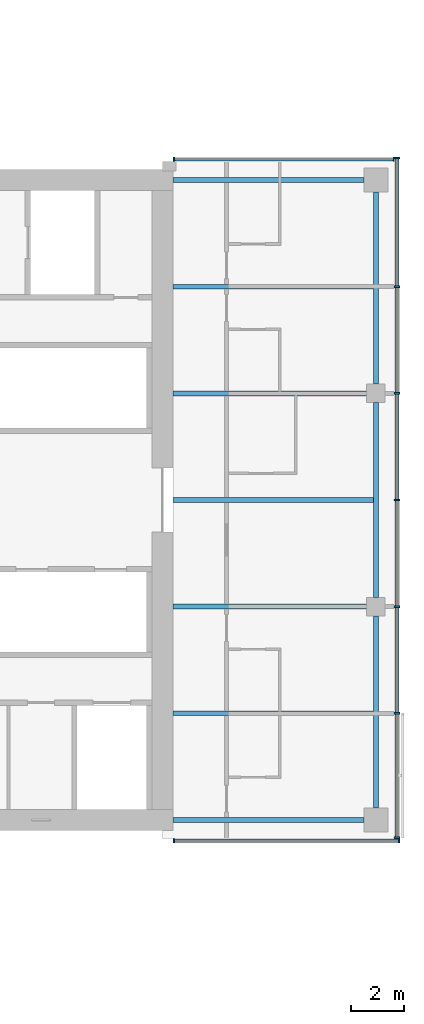
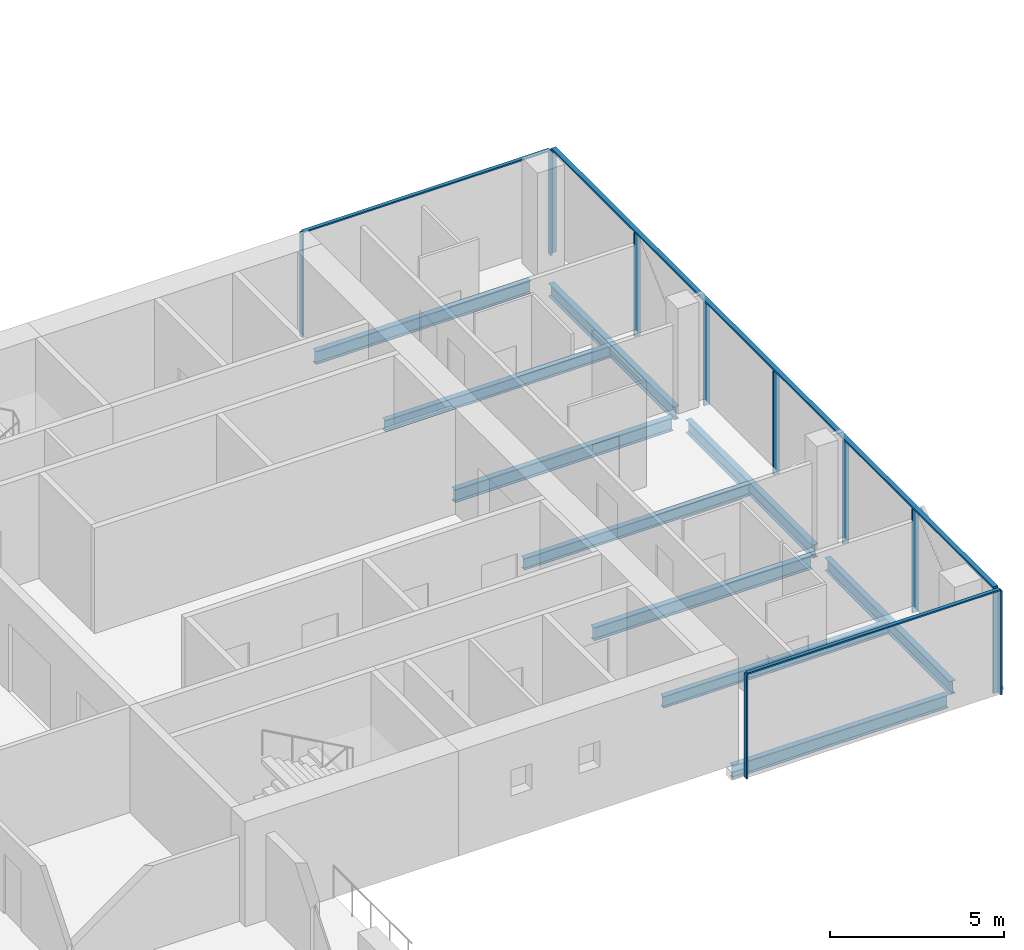
# One storey, part 11 of 27: 14 members, 10 beams, 3 elements without a shape of their own.
"""IFC4 building model written with IfcOpenShell, lengths in metres."""

from ifc_helpers import new_model, si_unit, direction, frame, origin, origin_2d, place, context, subcontext, project, spatial, rectangle, i_section, extrude, material, material_profile, profile_set, type_object, element, aggregate, save


model = new_model("IFC4")

# Units and contexts
model_context = context("Model", 3, precision=1e-05, world=origin(), true_north=direction((0.0, 1.0)))
body_context = subcontext(model_context, "Body", "Model", "MODEL_VIEW")
ifc_project = project(units=[si_unit("LENGTHUNIT", "METRE"), si_unit("AREAUNIT", "SQUARE_METRE"), si_unit("VOLUMEUNIT", "CUBIC_METRE"), si_unit("PLANEANGLEUNIT", "RADIAN"), si_unit("MASSUNIT", "GRAM", prefix="KILO")], contexts=[model_context])

# Site, building, storey
site_placement = place(None, origin())
site = spatial("IfcSite", under=ifc_project, at=site_placement, CompositionType="ELEMENT")
building_placement = place(site_placement, origin())
building = spatial("IfcBuilding", under=site, at=building_placement, Name="Crosswind Convention Tower", CompositionType="ELEMENT")
storey_placement = place(building_placement, frame((0.0, 0.0, 72.0)))
storey = spatial("IfcBuildingStorey", under=building, at=storey_placement, Name="L12", CompositionType="ELEMENT", Elevation=72.0)

# Beams
ifc_material_1 = material(Name="Steel S355", Category="steel")
ifc_material_profile_1 = material_profile(ifc_material_1, i_section(OverallWidth=0.1904296875, OverallDepth=0.457275390625, WebThickness=0.009033203125, FlangeThickness=0.014404296875, FilletRadius=0.01025390625, at=origin_2d()), Name="UB 457x191x75")
ifc_profile_set_1 = profile_set([ifc_material_profile_1], Name="Steel S355")
beam_type_1 = type_object("IfcBeamType", Name="Edge beam UB 457x191x75", PredefinedType="SPANDREL", material=ifc_profile_set_1)
for number, where, z_axis, x_axis, name in (
    (1, (153.39990234375, 88.0, -0.508544921875), (1.0, 0.0, 0.0), (0.0, 1.0, 0.0), "B17 L12 edge beam 24"),
    (2, (153.39990234375, 112.0, -0.508544921875), (1.0, 0.0, 0.0), (0.0, 1.0, 0.0), "B17 L12 edge beam 25"),
):
    element("IfcBeam", number, at=place(storey_placement, frame(where, z_axis=z_axis, x_axis=x_axis)), inside=storey, type_object=beam_type_1, Name=name, PredefinedType="SPANDREL", context=body_context, shape_type="SweptSolid", body=[
        extrude(i_section(OverallWidth=0.1904296875, OverallDepth=0.457275390625, WebThickness=0.009033203125, FlangeThickness=0.014404296875, FilletRadius=0.01025390625, at=origin_2d()), origin(), (0.0, 0.0, 1.0), 7.150146484375),
    ])
beam_1_placement = place(storey_placement, frame((161.0, 88.449951171875, -0.508544921875), z_axis=(0.0, 1.0, 0.0), x_axis=(-1.0, 0.0, 0.0)))
element("IfcBeam", 3, at=beam_1_placement, inside=storey, type_object=beam_type_1, Name="B17 L12 edge beam 26", PredefinedType="SPANDREL", context=body_context, shape_type="SweptSolid", body=[
    extrude(i_section(OverallWidth=0.1904296875, OverallDepth=0.457275390625, WebThickness=0.009033203125, FlangeThickness=0.014404296875, FilletRadius=0.01025390625, at=origin_2d()), origin(), (0.0, 0.0, 1.0), 7.199951171875),
])
beam_2_placement = place(storey_placement, frame((161.0, 96.35009765625, -0.508544921875), z_axis=(0.0, 1.0, 0.0), x_axis=(-1.0, 0.0, 0.0)))
element("IfcBeam", 4, at=beam_2_placement, inside=storey, type_object=beam_type_1, Name="B17 L12 edge beam 27", PredefinedType="SPANDREL", context=body_context, shape_type="SweptSolid", body=[
    extrude(i_section(OverallWidth=0.1904296875, OverallDepth=0.457275390625, WebThickness=0.009033203125, FlangeThickness=0.014404296875, FilletRadius=0.01025390625, at=origin_2d()), origin(), (0.0, 0.0, 1.0), 7.2998046875),
])
beam_3_placement = place(storey_placement, frame((161.0, 104.35009765625, -0.508544921875), z_axis=(0.0, 1.0, 0.0), x_axis=(-1.0, 0.0, 0.0)))
element("IfcBeam", 5, at=beam_3_placement, inside=storey, type_object=beam_type_1, Name="B17 L12 edge beam 28", PredefinedType="SPANDREL", context=body_context, shape_type="SweptSolid", body=[
    extrude(i_section(OverallWidth=0.1904296875, OverallDepth=0.457275390625, WebThickness=0.009033203125, FlangeThickness=0.014404296875, FilletRadius=0.01025390625, at=origin_2d()), origin(), (0.0, 0.0, 1.0), 7.199951171875),
])
ifc_material_profile_2 = material_profile(ifc_material_1, i_section(OverallWidth=0.19189453125, OverallDepth=0.463623046875, WebThickness=0.010498046875, FlangeThickness=0.017578125, FilletRadius=0.01025390625, at=origin_2d()), Name="UB 457x191x90")
ifc_profile_set_2 = profile_set([ifc_material_profile_2], Name="Steel S355")
beam_type_2 = type_object("IfcBeamType", Name="Girder at core wall UB 457x191x90", PredefinedType="BEAM", material=ifc_profile_set_2)
for number, where, z_axis, x_axis, name in (
    (6, (153.39990234375, 96.0, -0.51171875), (1.0, 0.0, 0.0), (0.0, 1.0, 0.0), "B24 L12 girder at core wall 11"),
    (7, (153.39990234375, 104.0, -0.51171875), (1.0, 0.0, 0.0), (0.0, 1.0, 0.0), "B24 L12 girder at core wall 12"),
):
    element("IfcBeam", number, at=place(storey_placement, frame(where, z_axis=z_axis, x_axis=x_axis)), inside=storey, type_object=beam_type_2, Name=name, PredefinedType="BEAM", context=body_context, shape_type="SweptSolid", body=[
        extrude(i_section(OverallWidth=0.19189453125, OverallDepth=0.463623046875, WebThickness=0.010498046875, FlangeThickness=0.017578125, FilletRadius=0.01025390625, at=origin_2d()), origin(), (0.0, 0.0, 1.0), 7.25),
    ])

# Curtain wall, members
ifc_material_2 = material(Name="Aluminium unitised curtain wall", Category="aluminium")
curtain_wall_type_1 = type_object("IfcCurtainWallType", Name="CORE END SLOT WALL 160", PredefinedType="USERDEFINED", material=ifc_material_2)
curtain_wall_1_placement = place(storey_placement, origin())
curtain_wall_1 = element("IfcCurtainWall", 8, at=curtain_wall_1_placement, inside=storey, type_object=curtain_wall_type_1, Name="CW6 L12 E-N.1-1 slot", ObjectType="UNITISED", PredefinedType="USERDEFINED")
ifc_material_3 = material(Name="Aluminium mullion", Category="aluminium")
ifc_material_profile_3 = material_profile(ifc_material_3, rectangle(XDim=0.159912109375, YDim=0.050048828125, at=origin_2d()), Name="AL 160X50")
ifc_profile_set_3 = profile_set([ifc_material_profile_3], Name="Aluminium mullion")
member_type_1 = type_object("IfcMemberType", Name="MULLION 50X160", PredefinedType="MULLION", material=ifc_profile_set_3)
member_1_placement = place(storey_placement, frame((161.675048828125, 112.780029296875, -0.280029296875), z_axis=(0.0, 0.0, 1.0), x_axis=(0.0, 1.0, 0.0)))
member_1 = element("IfcMember", 9, at=member_1_placement, type_object=member_type_1, Name="CW6 mullion 1", PredefinedType="MULLION", context=body_context, shape_type="SweptSolid", body=[
    extrude(rectangle(XDim=0.159912109375, YDim=0.050048828125, at=origin_2d()), origin(), (0.0, 0.0, 1.0), 3.650146484375),
])
member_2_placement = place(storey_placement, frame((153.425048828125, 112.780029296875, -0.280029296875), z_axis=(0.0, 0.0, 1.0), x_axis=(0.0, 1.0, 0.0)))
member_2 = element("IfcMember", 10, at=member_2_placement, type_object=member_type_1, Name="CW6 mullion 2", PredefinedType="MULLION", context=body_context, shape_type="SweptSolid", body=[
    extrude(rectangle(XDim=0.159912109375, YDim=0.050048828125, at=origin_2d()), origin(), (0.0, 0.0, 1.0), 3.650146484375),
])

curtain_wall_2_placement = place(storey_placement, origin())
curtain_wall_2 = element("IfcCurtainWall", 11, at=curtain_wall_2_placement, inside=storey, type_object=curtain_wall_type_1, Name="CW6 L12 E-S.2-1 slot", ObjectType="UNITISED", PredefinedType="USERDEFINED")
member_3_placement = place(storey_placement, frame((153.425048828125, 87.219970703125, -0.280029296875), z_axis=(0.0, 0.0, 1.0), x_axis=(0.0, -1.0, 0.0)))
member_3 = element("IfcMember", 12, at=member_3_placement, type_object=member_type_1, Name="CW6 mullion 1", PredefinedType="MULLION", context=body_context, shape_type="SweptSolid", body=[
    extrude(rectangle(XDim=0.159912109375, YDim=0.050048828125, at=origin_2d()), origin(), (0.0, 0.0, 1.0), 3.650146484375),
])
member_4_placement = place(storey_placement, frame((161.875, 87.219970703125, -0.280029296875), z_axis=(0.0, 0.0, 1.0), x_axis=(0.0, -1.0, 0.0)))
member_4 = element("IfcMember", 13, at=member_4_placement, type_object=member_type_1, Name="CW6 mullion 2", PredefinedType="MULLION", context=body_context, shape_type="SweptSolid", body=[
    extrude(rectangle(XDim=0.159912109375, YDim=0.050048828125, at=origin_2d()), origin(), (0.0, 0.0, 1.0), 3.650146484375),
])

curtain_wall_type_2 = type_object("IfcCurtainWallType", Name="HOTEL UNITISED WALL 200", PredefinedType="USERDEFINED", material=ifc_material_2)
curtain_wall_3_placement = place(storey_placement, origin())
curtain_wall_3 = element("IfcCurtainWall", 14, at=curtain_wall_3_placement, inside=storey, type_object=curtain_wall_type_2, Name="CW2 L12 E-TIP 1", ObjectType="UNITISED", PredefinedType="USERDEFINED")
ifc_material_profile_4 = material_profile(ifc_material_3, rectangle(XDim=0.199951171875, YDim=0.06494140625, at=origin_2d()), Name="AL 200X65")
ifc_profile_set_4 = profile_set([ifc_material_profile_4], Name="Aluminium mullion")
member_type_2 = type_object("IfcMemberType", Name="MULLION 65X200", PredefinedType="MULLION", material=ifc_profile_set_4)
member_5_placement = place(storey_placement, frame((161.800048828125, 87.33251953125, -0.280029296875), z_axis=(0.0, 0.0, 1.0), x_axis=(1.0, 0.0, 0.0)))
member_5 = element("IfcMember", 15, at=member_5_placement, type_object=member_type_2, Name="CW2 mullion 1", PredefinedType="MULLION", context=body_context, shape_type="SweptSolid", body=[
    extrude(rectangle(XDim=0.199951171875, YDim=0.06494140625, at=origin_2d()), origin(), (0.0, 0.0, 1.0), 3.635009765625),
])
member_6_placement = place(storey_placement, frame((161.800048828125, 92.0, -0.280029296875), z_axis=(0.0, 0.0, 1.0), x_axis=(1.0, 0.0, 0.0)))
member_6 = element("IfcMember", 16, at=member_6_placement, type_object=member_type_2, Name="CW2 mullion 2", PredefinedType="MULLION", context=body_context, shape_type="SweptSolid", body=[
    extrude(rectangle(XDim=0.199951171875, YDim=0.06494140625, at=origin_2d()), origin(), (0.0, 0.0, 1.0), 3.635009765625),
])
member_7_placement = place(storey_placement, frame((161.800048828125, 96.0, -0.280029296875), z_axis=(0.0, 0.0, 1.0), x_axis=(1.0, 0.0, 0.0)))
member_7 = element("IfcMember", 17, at=member_7_placement, type_object=member_type_2, Name="CW2 mullion 3", PredefinedType="MULLION", context=body_context, shape_type="SweptSolid", body=[
    extrude(rectangle(XDim=0.199951171875, YDim=0.06494140625, at=origin_2d()), origin(), (0.0, 0.0, 1.0), 3.635009765625),
])
member_8_placement = place(storey_placement, frame((161.800048828125, 100.0, -0.280029296875), z_axis=(0.0, 0.0, 1.0), x_axis=(1.0, 0.0, 0.0)))
member_8 = element("IfcMember", 18, at=member_8_placement, type_object=member_type_2, Name="CW2 mullion 4", PredefinedType="MULLION", context=body_context, shape_type="SweptSolid", body=[
    extrude(rectangle(XDim=0.199951171875, YDim=0.06494140625, at=origin_2d()), origin(), (0.0, 0.0, 1.0), 3.635009765625),
])
member_9_placement = place(storey_placement, frame((161.800048828125, 104.0, -0.280029296875), z_axis=(0.0, 0.0, 1.0), x_axis=(1.0, 0.0, 0.0)))
member_9 = element("IfcMember", 19, at=member_9_placement, type_object=member_type_2, Name="CW2 mullion 5", PredefinedType="MULLION", context=body_context, shape_type="SweptSolid", body=[
    extrude(rectangle(XDim=0.199951171875, YDim=0.06494140625, at=origin_2d()), origin(), (0.0, 0.0, 1.0), 3.635009765625),
])
member_10_placement = place(storey_placement, frame((161.800048828125, 108.0, -0.280029296875), z_axis=(0.0, 0.0, 1.0), x_axis=(1.0, 0.0, 0.0)))
member_10 = element("IfcMember", 20, at=member_10_placement, type_object=member_type_2, Name="CW2 mullion 6", PredefinedType="MULLION", context=body_context, shape_type="SweptSolid", body=[
    extrude(rectangle(XDim=0.199951171875, YDim=0.06494140625, at=origin_2d()), origin(), (0.0, 0.0, 1.0), 3.635009765625),
])
member_11_placement = place(storey_placement, frame((161.800048828125, 112.827392578125, -0.280029296875), z_axis=(0.0, 0.0, 1.0), x_axis=(1.0, 0.0, 0.0)))
member_11 = element("IfcMember", 21, at=member_11_placement, type_object=member_type_2, Name="CW2 mullion 7", PredefinedType="MULLION", context=body_context, shape_type="SweptSolid", body=[
    extrude(rectangle(XDim=0.199951171875, YDim=0.06494140625, at=origin_2d()), origin(), (0.0, 0.0, 1.0), 3.635009765625),
])

# Beams
ifc_material_profile_5 = material_profile(ifc_material_1, i_section(OverallWidth=0.177734375, OverallDepth=0.406494140625, WebThickness=0.0078125, FlangeThickness=0.0126953125, FilletRadius=0.01025390625, at=origin_2d()), Name="UB 406x178x60")
ifc_profile_set_5 = profile_set([ifc_material_profile_5], Name="Steel S355")
beam_type_3 = type_object("IfcBeamType", Name="Secondary beam UB 406x178x60", PredefinedType="JOIST", material=ifc_profile_set_5)
for number, where, z_axis, x_axis, name in (
    (22, (153.39990234375, 92.0, -0.483154296875), (1.0, 0.0, 0.0), (0.0, 1.0, 0.0), "B10 L12 secondary beam 31"),
    (23, (153.39990234375, 100.0, -0.483154296875), (1.0, 0.0, 0.0), (0.0, 1.0, 0.0), "B10 L12 secondary beam 32"),
    (24, (153.39990234375, 108.0, -0.483154296875), (1.0, 0.0, 0.0), (0.0, 1.0, 0.0), "B10 L12 secondary beam 33"),
):
    element("IfcBeam", number, at=place(storey_placement, frame(where, z_axis=z_axis, x_axis=x_axis)), inside=storey, type_object=beam_type_3, Name=name, PredefinedType="JOIST", context=body_context, shape_type="SweptSolid", body=[
        extrude(i_section(OverallWidth=0.177734375, OverallDepth=0.406494140625, WebThickness=0.0078125, FlangeThickness=0.0126953125, FilletRadius=0.01025390625, at=origin_2d()), origin(), (0.0, 0.0, 1.0), 7.5048828125),
    ])

# Member
ifc_material_4 = material(Name="Aluminium transom", Category="aluminium")
ifc_material_profile_6 = material_profile(ifc_material_4, rectangle(XDim=0.1201171875, YDim=0.050048828125, at=origin_2d()), Name="AL 120X50")
ifc_profile_set_6 = profile_set([ifc_material_profile_6], Name="Aluminium transom")
member_type_3 = type_object("IfcMemberType", Name="TRANSOM 50X120", PredefinedType="USERDEFINED", material=ifc_profile_set_6)
member_12_placement = place(storey_placement, frame((161.64990234375, 112.780029296875, 3.39501953125), z_axis=(-1.0, 0.0, 0.0), x_axis=(0.0, -1.0, 0.0)))
member_12 = element("IfcMember", 25, at=member_12_placement, type_object=member_type_3, Name="CW6 transom", ObjectType="TRANSOM", PredefinedType="USERDEFINED", context=body_context, shape_type="SweptSolid", body=[
    extrude(rectangle(XDim=0.1201171875, YDim=0.050048828125, at=origin_2d()), origin(), (0.0, 0.0, 1.0), 8.199951171875),
])

aggregate(curtain_wall_1, [member_1, member_2, member_12])

member_13_placement = place(storey_placement, frame((153.449951171875, 87.219970703125, 3.39501953125), z_axis=(1.0, 0.0, 0.0), x_axis=(0.0, 1.0, 0.0)))
member_13 = element("IfcMember", 26, at=member_13_placement, type_object=member_type_3, Name="CW6 transom", ObjectType="TRANSOM", PredefinedType="USERDEFINED", context=body_context, shape_type="SweptSolid", body=[
    extrude(rectangle(XDim=0.1201171875, YDim=0.050048828125, at=origin_2d()), origin(), (0.0, 0.0, 1.0), 8.400146484375),
])

aggregate(curtain_wall_2, [member_3, member_4, member_13])

ifc_material_profile_7 = material_profile(ifc_material_4, rectangle(XDim=0.14990234375, YDim=0.06494140625, at=origin_2d()), Name="AL 150X65")
ifc_profile_set_7 = profile_set([ifc_material_profile_7], Name="Aluminium transom")
member_type_4 = type_object("IfcMemberType", Name="TRANSOM 65X150", PredefinedType="USERDEFINED", material=ifc_profile_set_7)
member_14_placement = place(storey_placement, frame((161.800048828125, 87.364990234375, 3.387451171875), z_axis=(0.0, 1.0, 0.0), x_axis=(-1.0, 0.0, 0.0)))
member_14 = element("IfcMember", 27, at=member_14_placement, type_object=member_type_4, Name="CW2 transom", ObjectType="TRANSOM", PredefinedType="USERDEFINED", context=body_context, shape_type="SweptSolid", body=[
    extrude(rectangle(XDim=0.14990234375, YDim=0.06494140625, at=origin_2d()), origin(), (0.0, 0.0, 1.0), 25.429931640625),
])

aggregate(curtain_wall_3, [member_5, member_6, member_7, member_8, member_9, member_10, member_11, member_14])

save(model, "model.ifc")
